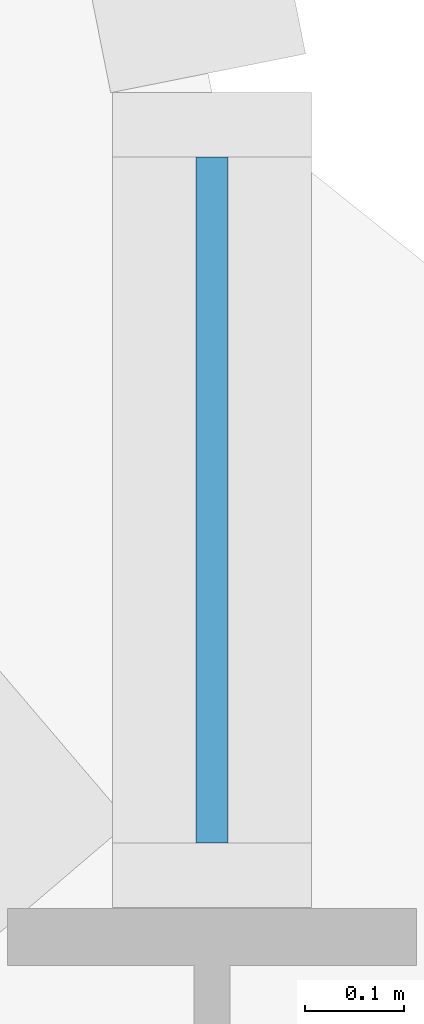
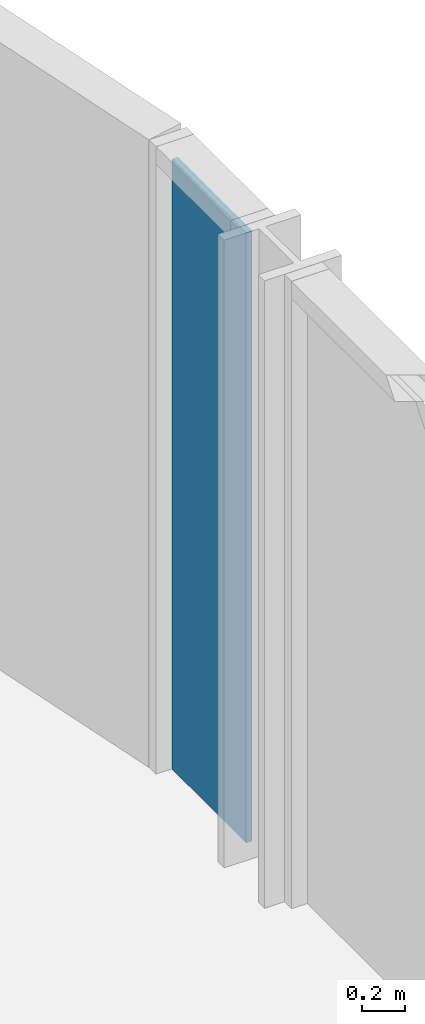
# One storey, part 12 of 29: 1 plate, 1 element without a shape of its own.
"""IFC4 building model written with IfcOpenShell, lengths in metres."""

from ifc_helpers import new_model, si_unit, direction, frame, origin, origin_2d, place, context, subcontext, project, spatial, rectangle, extrude, material, layer, layer_set, type_object, element, aggregate, save


model = new_model("IFC4")

# Units and contexts
model_context = context("Model", 3, precision=1e-05, world=origin(), true_north=direction((0.0, 1.0)))
body_context = subcontext(model_context, "Body", "Model", "MODEL_VIEW")
ifc_project = project(units=[si_unit("LENGTHUNIT", "METRE"), si_unit("AREAUNIT", "SQUARE_METRE"), si_unit("VOLUMEUNIT", "CUBIC_METRE"), si_unit("PLANEANGLEUNIT", "RADIAN"), si_unit("MASSUNIT", "GRAM", prefix="KILO")], contexts=[model_context])

# Site, building, storey
site_placement = place(None, origin())
site = spatial("IfcSite", under=ifc_project, at=site_placement, CompositionType="ELEMENT")
building_placement = place(site_placement, origin())
building = spatial("IfcBuilding", under=site, at=building_placement, Name="Mahtab Terrace Research Tower", CompositionType="ELEMENT")
storey_placement = place(building_placement, frame((0.0, 0.0, 150.699951171875)))
storey = spatial("IfcBuildingStorey", under=building, at=storey_placement, Name="L35", CompositionType="ELEMENT", Elevation=150.699951171875)

# Curtain wall, plate
ifc_material_1 = material(Name="Laboratory ribbon curtain wall")
curtain_wall_type = type_object("IfcCurtainWallType", Name="Laboratory ribbon curtain wall", PredefinedType="NOTDEFINED", material=ifc_material_1)
curtain_wall_placement = place(storey_placement, origin())
curtain_wall = element("IfcCurtainWall", 1, at=curtain_wall_placement, inside=storey, type_object=curtain_wall_type, Name="EN.L35.18.39", PredefinedType="NOTDEFINED")
ifc_material_2 = material(Name="Dark glazing", Category="glass")
ifc_layer = layer(ifc_material_2, 0.031982421875)
ifc_layer_set = layer_set([ifc_layer], Name="Laboratory ribbon curtain wall glazing panel")
plate_type = type_object("IfcPlateType", Name="Laboratory ribbon curtain wall glazing panel", PredefinedType="CURTAIN_PANEL", material=ifc_layer_set)
plate_placement = place(storey_placement, frame((48.0, 22.590087890625, 0.0), z_axis=(0.0, 0.0, 1.0), x_axis=(0.0, 1.0, 0.0)))
plate = element("IfcPlate", 2, at=plate_placement, type_object=plate_type, Name="CWL-4 panel 1", PredefinedType="CURTAIN_PANEL", context=body_context, shape_type="SweptSolid", body=[
    extrude(rectangle(XDim=0.68994140625, YDim=0.031982421875, at=origin_2d()), origin(), (0.0, 0.0, 1.0), 3.449951171875),
])
aggregate(curtain_wall, [plate])

save(model, "model.ifc")
